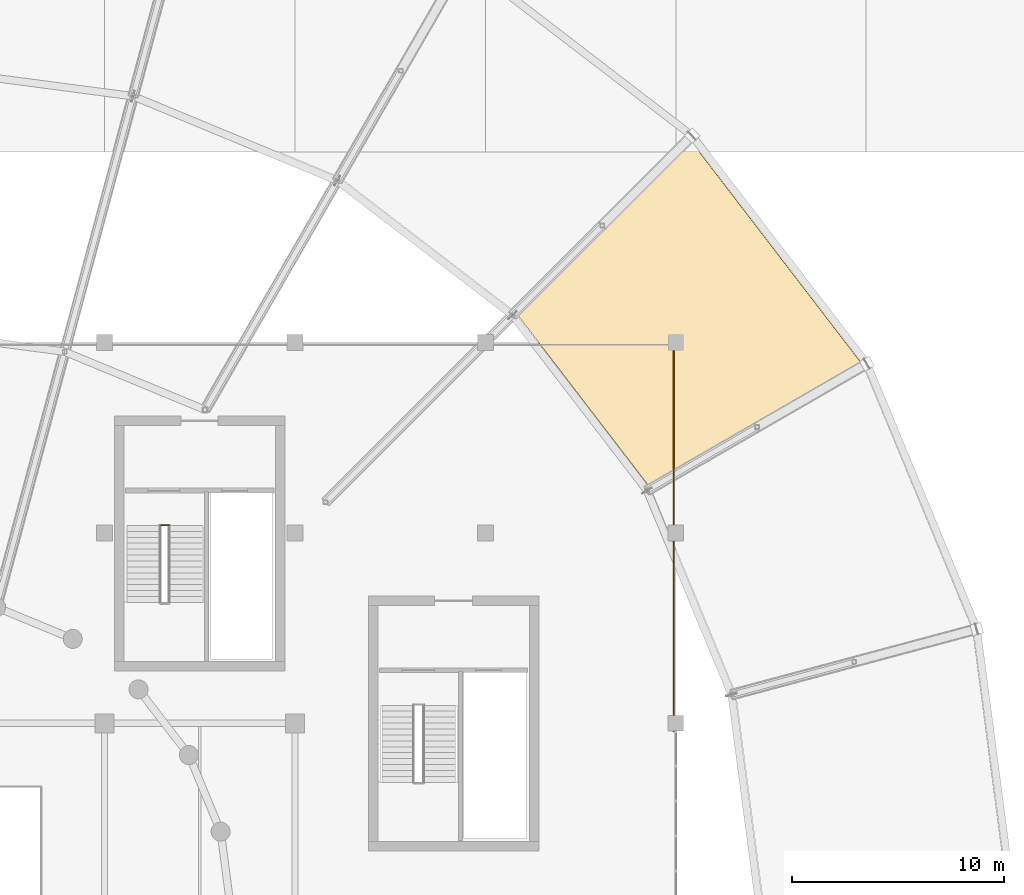
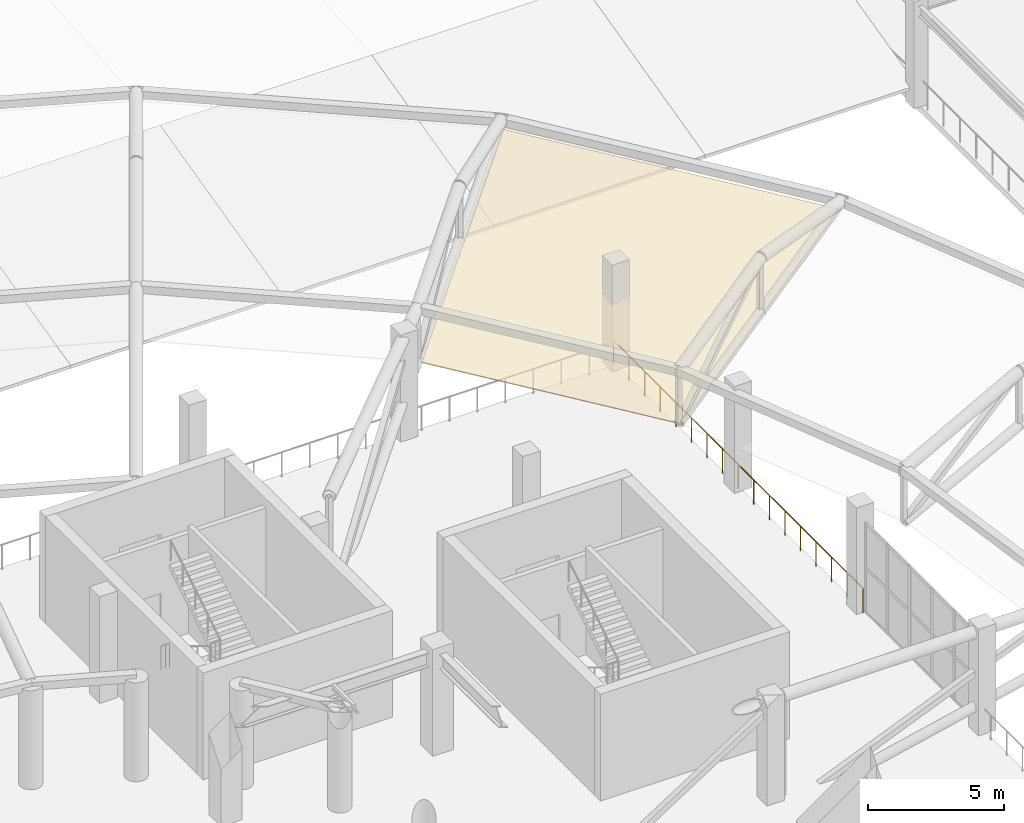
# One storey, part 159 of 167: 2 railings, 1 covering.
"""IFC4 building model written with IfcOpenShell, lengths in metres."""

from ifc_helpers import new_model, si_unit, direction, frame, origin, origin_2d, place, context, subcontext, project, spatial, polyline, circle, outline, extrude, material, layer, layer_set, type_object, element, save


model = new_model("IFC4")

# Units and contexts
model_context = context("Model", 3, precision=1e-05, world=origin(), true_north=direction((0.0, 1.0)))
body_context = subcontext(model_context, "Body", "Model", "MODEL_VIEW")
ifc_project = project(units=[si_unit("LENGTHUNIT", "METRE"), si_unit("AREAUNIT", "SQUARE_METRE"), si_unit("VOLUMEUNIT", "CUBIC_METRE"), si_unit("PLANEANGLEUNIT", "RADIAN"), si_unit("MASSUNIT", "GRAM", prefix="KILO")], contexts=[model_context])

# Site, building, storey
site_placement = place(None, origin())
site = spatial("IfcSite", under=ifc_project, at=site_placement, CompositionType="ELEMENT")
building_placement = place(site_placement, origin())
building = spatial("IfcBuilding", under=site, at=building_placement, Name="Dornveld Trade and Exhibition Forum", CompositionType="ELEMENT")
storey_placement = place(building_placement, frame((0.0, 0.0, 16.800048828125)))
storey = spatial("IfcBuildingStorey", under=building, at=storey_placement, Name="L03", CompositionType="ELEMENT", Elevation=16.800048828125)

# Covering
ifc_material_1 = material(Name="Acoustic perforated aluminium soffit panel", Category="aluminium")
ifc_layer = layer(ifc_material_1, 0.044921875)
ifc_layer_set = layer_set([ifc_layer], Name="Acoustic perforated aluminium soffit panel")
covering_type = type_object("IfcCoveringType", Name="COV-SOFFIT-DISC", PredefinedType="CEILING", material=ifc_layer_set)
covering_placement = place(storey_placement, frame((151.814208984375, 101.10009765625, 1.9111328125), z_axis=(-0.177072359886, -0.135870052813, 0.974774183138), x_axis=(0.844544884313, 0.487581622675, 0.221377730608)))
element("IfcCovering", 1, at=covering_placement, inside=storey, type_object=covering_type, Name="Floating disc conical soffit panel 3", PredefinedType="CEILING", context=body_context, shape_type="SweptSolid", body=[
    extrude(outline(polyline([(0.0, 0.0), (11.895044465416484, 1.3877787807814457e-17), (10.17371507966031, 13.412589790196648), (-1.33586364535027, 10.408865670263626), (0.0, 0.0)])), origin(), (0.0, 0.0, -1.0), 0.044921875),
])

# Railings
ifc_material_2 = material(Name="Dark-bronze steel and laminated glass balustrade", Category="steel")
railing_type_1 = type_object("IfcRailingType", Name="RL-BALUST-CONC", PredefinedType="BALUSTRADE", material=ifc_material_2)
railing_1_placement = place(storey_placement, frame((152.89990234375, 108.0, 0.0)))
element("IfcRailing", 2, at=railing_1_placement, inside=storey, type_object=railing_type_1, Name="L03 deck edge balustrade 189", PredefinedType="BALUSTRADE", context=body_context, shape_type="SweptSolid", body=[
    extrude(circle(Radius=0.02490234375, at=origin_2d()), frame((0.0, 0.0, 1.09521484375), z_axis=(0.0, -1.0, 0.0), x_axis=(1.0, 0.0, 0.0)), (0.0, 0.0, 1.0), 18.37109375),
    extrude(circle(Radius=0.02099609375, at=origin_2d()), origin(), (0.0, 0.0, 1.0), 1.070068359375),
    extrude(circle(Radius=0.02099609375, at=origin_2d()), frame((0.0, -1.148193359375, 0.0)), (0.0, 0.0, 1.0), 1.070068359375),
    extrude(circle(Radius=0.02099609375, at=origin_2d()), frame((0.0, -2.29638671875, 0.0)), (0.0, 0.0, 1.0), 1.070068359375),
    extrude(circle(Radius=0.02099609375, at=origin_2d()), frame((0.0, -3.444580078125, 0.0)), (0.0, 0.0, 1.0), 1.070068359375),
    extrude(circle(Radius=0.02099609375, at=origin_2d()), frame((0.0, -4.5927734375, 0.0)), (0.0, 0.0, 1.0), 1.070068359375),
    extrude(circle(Radius=0.02099609375, at=origin_2d()), frame((0.0, -5.740966796875, 0.0)), (0.0, 0.0, 1.0), 1.070068359375),
    extrude(circle(Radius=0.02099609375, at=origin_2d()), frame((0.0, -6.88916015625, 0.0)), (0.0, 0.0, 1.0), 1.070068359375),
    extrude(circle(Radius=0.02099609375, at=origin_2d()), frame((0.0, -8.037353515625, 0.0)), (0.0, 0.0, 1.0), 1.070068359375),
    extrude(circle(Radius=0.02099609375, at=origin_2d()), frame((0.0, -9.185546875, 0.0)), (0.0, 0.0, 1.0), 1.070068359375),
    extrude(circle(Radius=0.02099609375, at=origin_2d()), frame((0.0, -10.333740234375, 0.0)), (0.0, 0.0, 1.0), 1.070068359375),
    extrude(circle(Radius=0.02099609375, at=origin_2d()), frame((0.0, -11.48193359375, 0.0)), (0.0, 0.0, 1.0), 1.070068359375),
    extrude(circle(Radius=0.02099609375, at=origin_2d()), frame((0.0, -12.630126953125, 0.0)), (0.0, 0.0, 1.0), 1.070068359375),
    extrude(circle(Radius=0.02099609375, at=origin_2d()), frame((0.0, -13.7783203125, 0.0)), (0.0, 0.0, 1.0), 1.070068359375),
    extrude(circle(Radius=0.02099609375, at=origin_2d()), frame((0.0, -14.926513671875, 0.0)), (0.0, 0.0, 1.0), 1.070068359375),
    extrude(circle(Radius=0.02099609375, at=origin_2d()), frame((0.0, -16.07470703125, 0.0)), (0.0, 0.0, 1.0), 1.070068359375),
    extrude(circle(Radius=0.02099609375, at=origin_2d()), frame((0.0, -17.222900390625, 0.0)), (0.0, 0.0, 1.0), 1.070068359375),
    extrude(circle(Radius=0.02099609375, at=origin_2d()), frame((0.0, -18.37109375, 0.0)), (0.0, 0.0, 1.0), 1.070068359375),
])
ifc_material_3 = material(Name="Painted steel S355J2 stair-well guard", Category="steel")
railing_type_2 = type_object("IfcRailingType", Name="RL-WELL-110", PredefinedType="GUARDRAIL", material=ifc_material_3)
railing_2_placement = place(storey_placement, frame((128.669921875, 99.3701171875, 0.0)))
element("IfcRailing", 3, at=railing_2_placement, inside=storey, type_object=railing_type_2, Name="CORE-02 L03 stair-slot floor guard", PredefinedType="GUARDRAIL", context=body_context, shape_type="SweptSolid", body=[
    extrude(circle(Radius=0.02392578125, at=origin_2d()), frame((0.0, 0.0, 1.076171875), z_axis=(1.0, 0.0, 0.0), x_axis=(0.0, 1.0, 0.0)), (0.0, 0.0, 1.0), 0.360107421875),
    extrude(circle(Radius=0.02001953125, at=origin_2d()), origin(), (0.0, 0.0, 1.0), 1.052001953125),
    extrude(circle(Radius=0.02001953125, at=origin_2d()), frame((0.18017578125, 0.0, 0.0)), (0.0, 0.0, 1.0), 1.052001953125),
    extrude(circle(Radius=0.02001953125, at=origin_2d()), frame((0.360107421875, 0.0, 0.0)), (0.0, 0.0, 1.0), 1.052001953125),
])

save(model, "model.ifc")
